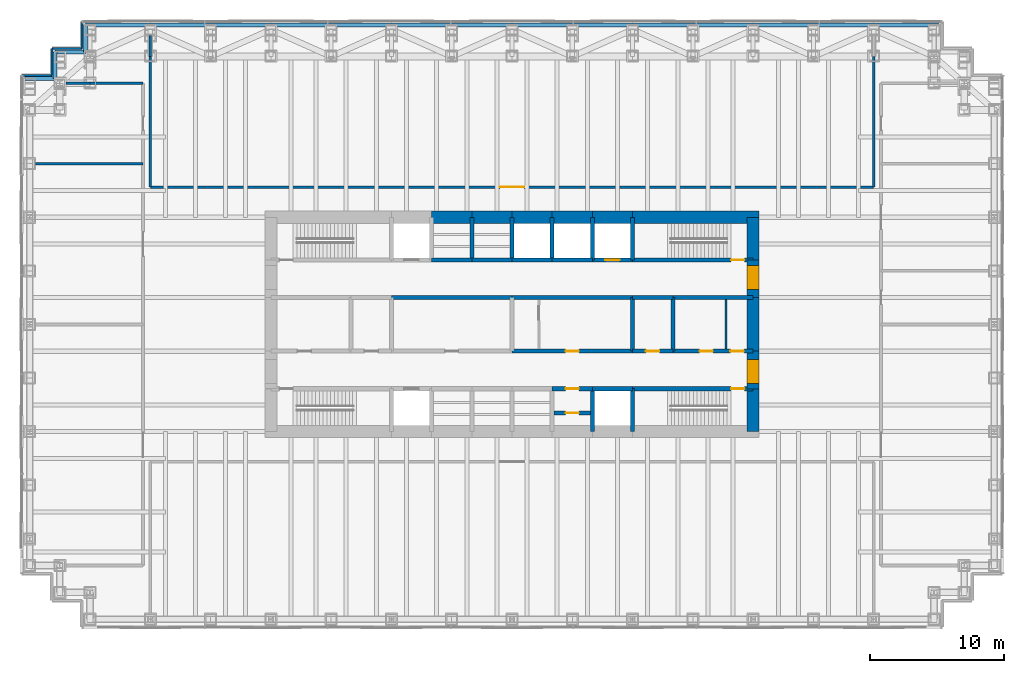
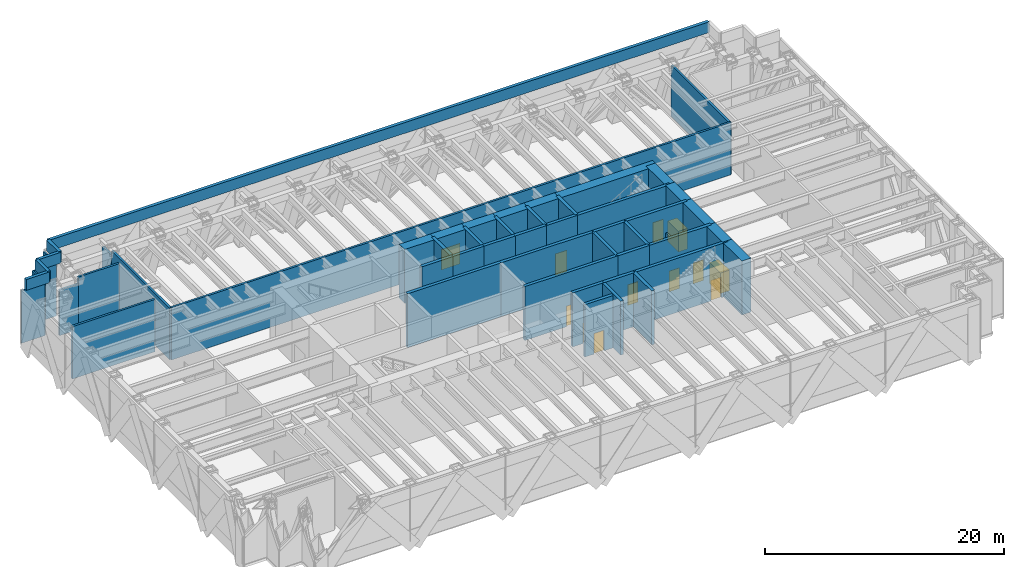
# One storey, part 14 of 16: 54 walls, 12 doors, 12 openings.
"""IFC4 building model written with IfcOpenShell, lengths in metres."""

from ifc_helpers import new_model, si_unit, direction, frame, frame_2d, origin, place, context, subcontext, project, spatial, rectangle, extrude, material, layer, layer_set, type_object, element, fill, save


model = new_model("IFC4")

# Units and contexts
model_context = context("Model", 3, precision=1e-05, world=origin(), true_north=direction((0.0, 1.0)))
body_context = subcontext(model_context, "Body", "Model", "MODEL_VIEW")
ifc_project = project(units=[si_unit("LENGTHUNIT", "METRE"), si_unit("AREAUNIT", "SQUARE_METRE"), si_unit("VOLUMEUNIT", "CUBIC_METRE"), si_unit("PLANEANGLEUNIT", "RADIAN"), si_unit("MASSUNIT", "GRAM", prefix="KILO")], contexts=[model_context])

# Site, building, storey
site_placement = place(None, origin())
site = spatial("IfcSite", under=ifc_project, at=site_placement, CompositionType="ELEMENT")
building_placement = place(site_placement, origin())
building = spatial("IfcBuilding", under=site, at=building_placement, Name="Rheinbord Bourse Tower", CompositionType="ELEMENT")
storey_placement = place(building_placement, frame((0.0, 0.0, 180.300048828125)))
storey = spatial("IfcBuildingStorey", under=building, at=storey_placement, Name="L40", CompositionType="ELEMENT", Elevation=180.300048828125)

# Wall, opening, door
ifc_material_1 = material(Name="Concrete C50/60", Category="concrete")
ifc_layer_1 = layer(ifc_material_1, 0.300048828125)
ifc_layer_set_1 = layer_set([ifc_layer_1], Name="CORE INNER WALL 300")
wall_type_1 = type_object("IfcWallType", Name="CORE INNER WALL 300", PredefinedType="SOLIDWALL", material=ifc_layer_set_1)
wall_1_placement = place(storey_placement, frame((39.0, 19.199951171875, 0.0), z_axis=(0.0, 0.0, 1.0), x_axis=(1.0, 0.0, 0.0)))
wall_1 = element("IfcWall", 1, at=wall_1_placement, inside=storey, type_object=wall_type_1, Name="Core wall A6 L40", PredefinedType="SOLIDWALL", context=body_context, shape_type="SweptSolid", body=[
    extrude(rectangle(XDim=3.0, YDim=0.300048828125, at=frame_2d((1.5, 0.0))), origin(), (0.0, 0.0, 1.0), 5.5),
])
opening_1_placement = place(wall_1_placement, frame((1.0, 0.0, 0.0)))
opening_1 = element("IfcOpeningElement", 2, at=opening_1_placement, cuts=wall_1, Name="Opening 40R8", PredefinedType="OPENING", context=body_context, shape_type="SweptSolid", body=[
    extrude(rectangle(XDim=1.0, YDim=2.10009765625, at=frame_2d((0.5, 1.050048828125))), frame((0.0, 0.159912109375, 0.0), z_axis=(0.0, -1.0, 0.0), x_axis=(1.0, 0.0, 0.0)), (0.0, 0.0, 1.0), 0.320068359375),
])
ifc_material_2 = material(Name="Steel door", Category="steel")
door_type_1 = type_object("IfcDoorType", Name="DOOR 1000 EI30", OperationType="SINGLE_SWING_LEFT", PredefinedType="DOOR", material=ifc_material_2)
door_1_placement = place(opening_1_placement, origin())
door_1 = element("IfcDoor", 3, at=door_1_placement, inside=storey, type_object=door_type_1, Name="Store door L40", OperationType="SINGLE_SWING_LEFT", OverallHeight=2.10009765625, OverallWidth=1.0, PredefinedType="DOOR", context=body_context, shape_type="SweptSolid", body=[
    extrude(rectangle(XDim=1.0, YDim=2.10009765625, at=frame_2d((0.5, 1.050048828125))), frame((0.0, 0.02490234375, 0.0), z_axis=(0.0, -1.0, 0.0), x_axis=(1.0, 0.0, 0.0)), (0.0, 0.0, 1.0), 0.050048828125),
])
fill(opening_1, door_1)

# Wall
wall_2_placement = place(storey_placement, frame((42.0, 19.199951171875, 0.0), z_axis=(0.0, 0.0, 1.0), x_axis=(1.0, 0.0, 0.0)))
element("IfcWall", 4, at=wall_2_placement, inside=storey, type_object=wall_type_1, Name="Core wall A7 L40", PredefinedType="SOLIDWALL", context=body_context, shape_type="SweptSolid", body=[
    extrude(rectangle(XDim=3.0, YDim=0.300048828125, at=frame_2d((1.5, 0.0))), origin(), (0.0, 0.0, 1.0), 5.5),
])

# Wall, opening, door
wall_3_placement = place(storey_placement, frame((45.0, 19.199951171875, 0.0), z_axis=(0.0, 0.0, 1.0), x_axis=(1.0, 0.0, 0.0)))
wall_3 = element("IfcWall", 5, at=wall_3_placement, inside=storey, type_object=wall_type_1, Name="Core wall A8 L40", PredefinedType="SOLIDWALL", context=body_context, shape_type="SweptSolid", body=[
    extrude(rectangle(XDim=9.0, YDim=0.300048828125, at=frame_2d((4.5, 0.0))), origin(), (0.0, 0.0, 1.0), 5.5),
])
opening_2_placement = place(wall_3_placement, frame((7.35009765625, 0.0, 0.0)))
opening_2 = element("IfcOpeningElement", 6, at=opening_2_placement, cuts=wall_3, Name="Opening 4030", PredefinedType="OPENING", context=body_context, shape_type="SweptSolid", body=[
    extrude(rectangle(XDim=1.0, YDim=2.10009765625, at=frame_2d((0.5, 1.050048828125))), frame((0.0, 0.159912109375, 0.0), z_axis=(0.0, -1.0, 0.0), x_axis=(1.0, 0.0, 0.0)), (0.0, 0.0, 1.0), 0.320068359375),
])
door_2_placement = place(opening_2_placement, origin())
door_2 = element("IfcDoor", 7, at=door_2_placement, inside=storey, type_object=door_type_1, Name="Stair door ST3 L40", OperationType="SINGLE_SWING_RIGHT", OverallHeight=2.10009765625, OverallWidth=1.0, PredefinedType="DOOR", context=body_context, shape_type="SweptSolid", body=[
    extrude(rectangle(XDim=1.0, YDim=2.10009765625, at=frame_2d((0.5, 1.050048828125))), frame((0.0, 0.02490234375, 0.0), z_axis=(0.0, -1.0, 0.0), x_axis=(1.0, 0.0, 0.0)), (0.0, 0.0, 1.0), 0.050048828125),
])
fill(opening_2, door_2)

# Walls
for number, where, z_axis, x_axis, name in (
    (8, (30.0, 28.800048828125, 0.0), (0.0, 0.0, 1.0), (1.0, 0.0, 0.0), "Core wall B3 L40"),
    (9, (33.0, 28.800048828125, 0.0), (0.0, 0.0, 1.0), (1.0, 0.0, 0.0), "Core wall B4 L40"),
    (10, (36.0, 28.800048828125, 0.0), (0.0, 0.0, 1.0), (1.0, 0.0, 0.0), "Core wall B5 L40"),
    (11, (39.0, 28.800048828125, 0.0), (0.0, 0.0, 1.0), (1.0, 0.0, 0.0), "Core wall B6 L40"),
):
    element("IfcWall", number, at=place(storey_placement, frame(where, z_axis=z_axis, x_axis=x_axis)), inside=storey, type_object=wall_type_1, Name=name, PredefinedType="SOLIDWALL", context=body_context, shape_type="SweptSolid", body=[
        extrude(rectangle(XDim=3.0, YDim=0.300048828125, at=frame_2d((1.5, 0.0))), origin(), (0.0, 0.0, 1.0), 5.5),
    ])

# Wall, opening, door
wall_4_placement = place(storey_placement, frame((42.0, 28.800048828125, 0.0), z_axis=(0.0, 0.0, 1.0), x_axis=(1.0, 0.0, 0.0)))
wall_4 = element("IfcWall", 12, at=wall_4_placement, inside=storey, type_object=wall_type_1, Name="Core wall B7 L40", PredefinedType="SOLIDWALL", context=body_context, shape_type="SweptSolid", body=[
    extrude(rectangle(XDim=3.0, YDim=0.300048828125, at=frame_2d((1.5, 0.0))), origin(), (0.0, 0.0, 1.0), 5.5),
])
opening_3_placement = place(wall_4_placement, frame((0.949951171875, 0.0, 0.0)))
opening_3 = element("IfcOpeningElement", 13, at=opening_3_placement, cuts=wall_4, Name="Opening FL2", PredefinedType="OPENING", context=body_context, shape_type="SweptSolid", body=[
    extrude(rectangle(XDim=1.10009765625, YDim=2.199951171875, at=frame_2d((0.550048828125, 1.10009765625))), frame((0.0, 0.159912109375, 0.0), z_axis=(0.0, -1.0, 0.0), x_axis=(1.0, 0.0, 0.0)), (0.0, 0.0, 1.0), 0.320068359375),
])
ifc_material_3 = material(Name="Steel landing door", Category="steel")
door_type_2 = type_object("IfcDoorType", Name="LIFT LANDING DOOR 1100", OperationType="DOUBLE_DOOR_SLIDING", PredefinedType="USERDEFINED", material=ifc_material_3)
door_3_placement = place(opening_3_placement, origin())
door_3 = element("IfcDoor", 14, at=door_3_placement, inside=storey, type_object=door_type_2, Name="Lift landing door FL2 L40", ObjectType="LIFT LANDING DOOR", OperationType="DOUBLE_DOOR_SLIDING", OverallHeight=2.199951171875, OverallWidth=1.10009765625, PredefinedType="USERDEFINED", context=body_context, shape_type="SweptSolid", body=[
    extrude(rectangle(XDim=1.10009765625, YDim=2.199951171875, at=frame_2d((0.550048828125, 1.10009765625))), frame((0.0, 0.02490234375, 0.0), z_axis=(0.0, -1.0, 0.0), x_axis=(1.0, 0.0, 0.0)), (0.0, 0.0, 1.0), 0.050048828125),
])
fill(opening_3, door_3)

wall_5_placement = place(storey_placement, frame((45.0, 28.800048828125, 0.0), z_axis=(0.0, 0.0, 1.0), x_axis=(1.0, 0.0, 0.0)))
wall_5 = element("IfcWall", 15, at=wall_5_placement, inside=storey, type_object=wall_type_1, Name="Core wall B8 L40", PredefinedType="SOLIDWALL", context=body_context, shape_type="SweptSolid", body=[
    extrude(rectangle(XDim=9.0, YDim=0.300048828125, at=frame_2d((4.5, 0.0))), origin(), (0.0, 0.0, 1.0), 5.5),
])
opening_4_placement = place(wall_5_placement, frame((7.35009765625, 0.0, 0.0)))
opening_4 = element("IfcOpeningElement", 16, at=opening_4_placement, cuts=wall_5, Name="Opening 4040", PredefinedType="OPENING", context=body_context, shape_type="SweptSolid", body=[
    extrude(rectangle(XDim=1.0, YDim=2.10009765625, at=frame_2d((0.5, 1.050048828125))), frame((0.0, 0.159912109375, 0.0), z_axis=(0.0, -1.0, 0.0), x_axis=(1.0, 0.0, 0.0)), (0.0, 0.0, 1.0), 0.320068359375),
])
door_4_placement = place(opening_4_placement, origin())
door_4 = element("IfcDoor", 17, at=door_4_placement, inside=storey, type_object=door_type_1, Name="Stair door ST4 L40", OperationType="SINGLE_SWING_RIGHT", OverallHeight=2.10009765625, OverallWidth=1.0, PredefinedType="DOOR", context=body_context, shape_type="SweptSolid", body=[
    extrude(rectangle(XDim=1.0, YDim=2.10009765625, at=frame_2d((0.5, 1.050048828125))), frame((0.0, 0.02490234375, 0.0), z_axis=(0.0, -1.0, 0.0), x_axis=(1.0, 0.0, 0.0)), (0.0, 0.0, 1.0), 0.050048828125),
])
fill(opening_4, door_4)

wall_6_placement = place(storey_placement, frame((36.0, 22.0, 0.0), z_axis=(0.0, 0.0, 1.0), x_axis=(1.0, 0.0, 0.0)))
wall_6 = element("IfcWall", 18, at=wall_6_placement, inside=storey, type_object=wall_type_1, Name="Core wall C4 L40", PredefinedType="SOLIDWALL", context=body_context, shape_type="SweptSolid", body=[
    extrude(rectangle(XDim=9.0, YDim=0.300048828125, at=frame_2d((4.5, 0.0))), origin(), (0.0, 0.0, 1.0), 5.5),
])
opening_5_placement = place(wall_6_placement, frame((4.0, 0.0, 0.0)))
opening_5 = element("IfcOpeningElement", 19, at=opening_5_placement, cuts=wall_6, Name="Opening 40R4", PredefinedType="OPENING", context=body_context, shape_type="SweptSolid", body=[
    extrude(rectangle(XDim=1.0, YDim=2.10009765625, at=frame_2d((0.5, 1.050048828125))), frame((0.0, 0.159912109375, 0.0), z_axis=(0.0, -1.0, 0.0), x_axis=(1.0, 0.0, 0.0)), (0.0, 0.0, 1.0), 0.320068359375),
])
door_5_placement = place(opening_5_placement, origin())
door_5 = element("IfcDoor", 20, at=door_5_placement, inside=storey, type_object=door_type_1, Name="Staff locker room door L40", OperationType="SINGLE_SWING_LEFT", OverallHeight=2.10009765625, OverallWidth=1.0, PredefinedType="DOOR", context=body_context, shape_type="SweptSolid", body=[
    extrude(rectangle(XDim=1.0, YDim=2.10009765625, at=frame_2d((0.5, 1.050048828125))), frame((0.0, 0.02490234375, 0.0), z_axis=(0.0, -1.0, 0.0), x_axis=(1.0, 0.0, 0.0)), (0.0, 0.0, 1.0), 0.050048828125),
])
fill(opening_5, door_5)

wall_7_placement = place(storey_placement, frame((45.0, 22.0, 0.0), z_axis=(0.0, 0.0, 1.0), x_axis=(1.0, 0.0, 0.0)))
wall_7 = element("IfcWall", 21, at=wall_7_placement, inside=storey, type_object=wall_type_1, Name="Core wall C5 L40", PredefinedType="SOLIDWALL", context=body_context, shape_type="SweptSolid", body=[
    extrude(rectangle(XDim=3.0, YDim=0.300048828125, at=frame_2d((1.5, 0.0))), origin(), (0.0, 0.0, 1.0), 5.5),
])
opening_6_placement = place(wall_7_placement, frame((1.0, 0.0, 0.0)))
opening_6 = element("IfcOpeningElement", 22, at=opening_6_placement, cuts=wall_7, Name="Opening 40R5", PredefinedType="OPENING", context=body_context, shape_type="SweptSolid", body=[
    extrude(rectangle(XDim=1.0, YDim=2.10009765625, at=frame_2d((0.5, 1.050048828125))), frame((0.0, 0.159912109375, 0.0), z_axis=(0.0, -1.0, 0.0), x_axis=(1.0, 0.0, 0.0)), (0.0, 0.0, 1.0), 0.320068359375),
])
ifc_material_4 = material(Name="Timber door", Category="wood")
door_type_3 = type_object("IfcDoorType", Name="DOOR 1000 WC", OperationType="SINGLE_SWING_LEFT", PredefinedType="DOOR", material=ifc_material_4)
door_6_placement = place(opening_6_placement, origin())
door_6 = element("IfcDoor", 23, at=door_6_placement, inside=storey, type_object=door_type_3, Name="Accessible WC door L40", OperationType="SINGLE_SWING_LEFT", OverallHeight=2.10009765625, OverallWidth=1.0, PredefinedType="DOOR", context=body_context, shape_type="SweptSolid", body=[
    extrude(rectangle(XDim=1.0, YDim=2.10009765625, at=frame_2d((0.5, 1.050048828125))), frame((0.0, 0.02490234375, 0.0), z_axis=(0.0, -1.0, 0.0), x_axis=(1.0, 0.0, 0.0)), (0.0, 0.0, 1.0), 0.050048828125),
])
fill(opening_6, door_6)

# Wall, openings, doors
wall_8_placement = place(storey_placement, frame((48.0, 22.0, 0.0), z_axis=(0.0, 0.0, 1.0), x_axis=(1.0, 0.0, 0.0)))
wall_8 = element("IfcWall", 24, at=wall_8_placement, inside=storey, type_object=wall_type_1, Name="Core wall C6 L40", PredefinedType="SOLIDWALL", context=body_context, shape_type="SweptSolid", body=[
    extrude(rectangle(XDim=6.0, YDim=0.300048828125, at=frame_2d((3.0, 0.0))), origin(), (0.0, 0.0, 1.0), 5.5),
])
opening_7_placement = place(wall_8_placement, frame((2.0, 0.0, 0.0)))
opening_7 = element("IfcOpeningElement", 25, at=opening_7_placement, cuts=wall_8, Name="Opening 40R6", PredefinedType="OPENING", context=body_context, shape_type="SweptSolid", body=[
    extrude(rectangle(XDim=1.0, YDim=2.10009765625, at=frame_2d((0.5, 1.050048828125))), frame((0.0, 0.159912109375, 0.0), z_axis=(0.0, -1.0, 0.0), x_axis=(1.0, 0.0, 0.0)), (0.0, 0.0, 1.0), 0.320068359375),
])
opening_8_placement = place(wall_8_placement, frame((4.300048828125, 0.0, 0.0)))
opening_8 = element("IfcOpeningElement", 26, at=opening_8_placement, cuts=wall_8, Name="Opening 40R10", PredefinedType="OPENING", context=body_context, shape_type="SweptSolid", body=[
    extrude(rectangle(XDim=1.0, YDim=2.10009765625, at=frame_2d((0.5, 1.050048828125))), frame((0.0, 0.159912109375, 0.0), z_axis=(0.0, -1.0, 0.0), x_axis=(1.0, 0.0, 0.0)), (0.0, 0.0, 1.0), 0.320068359375),
])
door_7_placement = place(opening_8_placement, origin())
door_7 = element("IfcDoor", 27, at=door_7_placement, inside=storey, type_object=door_type_1, Name="Cleaner's store door L40", OperationType="SINGLE_SWING_RIGHT", OverallHeight=2.10009765625, OverallWidth=1.0, PredefinedType="DOOR", context=body_context, shape_type="SweptSolid", body=[
    extrude(rectangle(XDim=1.0, YDim=2.10009765625, at=frame_2d((0.5, 1.050048828125))), frame((0.0, 0.02490234375, 0.0), z_axis=(0.0, -1.0, 0.0), x_axis=(1.0, 0.0, 0.0)), (0.0, 0.0, 1.0), 0.050048828125),
])
fill(opening_8, door_7)
door_8_placement = place(opening_7_placement, origin())
door_8 = element("IfcDoor", 28, at=door_8_placement, inside=storey, type_object=door_type_3, Name="WC women door L40", OperationType="SINGLE_SWING_LEFT", OverallHeight=2.10009765625, OverallWidth=1.0, PredefinedType="DOOR", context=body_context, shape_type="SweptSolid", body=[
    extrude(rectangle(XDim=1.0, YDim=2.10009765625, at=frame_2d((0.5, 1.050048828125))), frame((0.0, 0.02490234375, 0.0), z_axis=(0.0, -1.0, 0.0), x_axis=(1.0, 0.0, 0.0)), (0.0, 0.0, 1.0), 0.050048828125),
])
fill(opening_7, door_8)

# Walls
for number, where, z_axis, x_axis, name in (
    (29, (27.0, 26.0, 0.0), (0.0, 0.0, 1.0), (1.0, 0.0, 0.0), "Core wall D3 L40"),
    (30, (36.0, 26.0, 0.0), (0.0, 0.0, 1.0), (1.0, 0.0, 0.0), "Core wall D4 L40"),
):
    element("IfcWall", number, at=place(storey_placement, frame(where, z_axis=z_axis, x_axis=x_axis)), inside=storey, type_object=wall_type_1, Name=name, PredefinedType="SOLIDWALL", context=body_context, shape_type="SweptSolid", body=[
        extrude(rectangle(XDim=9.0, YDim=0.300048828125, at=frame_2d((4.5, 0.0))), origin(), (0.0, 0.0, 1.0), 5.5),
    ])
wall_9_placement = place(storey_placement, frame((45.0, 26.0, 0.0), z_axis=(0.0, 0.0, 1.0), x_axis=(1.0, 0.0, 0.0)))
element("IfcWall", 31, at=wall_9_placement, inside=storey, type_object=wall_type_1, Name="Core wall D5 L40", PredefinedType="SOLIDWALL", context=body_context, shape_type="SweptSolid", body=[
    extrude(rectangle(XDim=3.0, YDim=0.300048828125, at=frame_2d((1.5, 0.0))), origin(), (0.0, 0.0, 1.0), 5.5),
])
wall_10_placement = place(storey_placement, frame((48.0, 26.0, 0.0), z_axis=(0.0, 0.0, 1.0), x_axis=(1.0, 0.0, 0.0)))
element("IfcWall", 32, at=wall_10_placement, inside=storey, type_object=wall_type_1, Name="Core wall D6 L40", PredefinedType="SOLIDWALL", context=body_context, shape_type="SweptSolid", body=[
    extrude(rectangle(XDim=6.0, YDim=0.300048828125, at=frame_2d((3.0, 0.0))), origin(), (0.0, 0.0, 1.0), 5.5),
])
for number, where, z_axis, x_axis, name in (
    (33, (33.0, 28.800048828125, 0.0), (0.0, 0.0, 1.0), (0.0, 1.0, 0.0), "Core wall NX33 L40"),
    (34, (36.0, 28.800048828125, 0.0), (0.0, 0.0, 1.0), (0.0, 1.0, 0.0), "Core wall NX36 L40"),
    (35, (39.0, 28.800048828125, 0.0), (0.0, 0.0, 1.0), (0.0, 1.0, 0.0), "Core wall NX39 L40"),
    (36, (42.0, 16.0, 0.0), (0.0, 0.0, 1.0), (0.0, 1.0, 0.0), "Core wall SX42 L40"),
    (37, (42.0, 28.800048828125, 0.0), (0.0, 0.0, 1.0), (0.0, 1.0, 0.0), "Core wall NX42 L40"),
    (38, (45.0, 16.0, 0.0), (0.0, 0.0, 1.0), (0.0, 1.0, 0.0), "Core wall SX45 L40"),
    (39, (45.0, 28.800048828125, 0.0), (0.0, 0.0, 1.0), (0.0, 1.0, 0.0), "Core wall NX45 L40"),
):
    element("IfcWall", number, at=place(storey_placement, frame(where, z_axis=z_axis, x_axis=x_axis)), inside=storey, type_object=wall_type_1, Name=name, PredefinedType="SOLIDWALL", context=body_context, shape_type="SweptSolid", body=[
        extrude(rectangle(XDim=3.199951171875, YDim=0.300048828125, at=frame_2d((1.60009765625, 0.0))), origin(), (0.0, 0.0, 1.0), 5.5),
    ])
for number, where, z_axis, x_axis, name in (
    (40, (45.0, 22.0, 0.0), (0.0, 0.0, 1.0), (0.0, 1.0, 0.0), "Core wall MX45 L40"),
    (41, (48.0, 22.0, 0.0), (0.0, 0.0, 1.0), (0.0, 1.0, 0.0), "Core wall MX48 L40"),
):
    element("IfcWall", number, at=place(storey_placement, frame(where, z_axis=z_axis, x_axis=x_axis)), inside=storey, type_object=wall_type_1, Name=name, PredefinedType="SOLIDWALL", context=body_context, shape_type="SweptSolid", body=[
        extrude(rectangle(XDim=4.0, YDim=0.300048828125, at=frame_2d((2.0, 0.0))), origin(), (0.0, 0.0, 1.0), 5.5),
    ])

# Wall, opening, door
wall_11_placement = place(storey_placement, frame((39.14990234375, 17.39990234375, 0.0), z_axis=(0.0, 0.0, 1.0), x_axis=(1.0, 0.0, 0.0)))
wall_11 = element("IfcWall", 42, at=wall_11_placement, inside=storey, type_object=wall_type_1, Name="Core riser wall L40-6", PredefinedType="SOLIDWALL", context=body_context, shape_type="SweptSolid", body=[
    extrude(rectangle(XDim=2.7001953125, YDim=0.300048828125, at=frame_2d((1.35009765625, 0.0))), origin(), (0.0, 0.0, 1.0), 5.33984375),
])
opening_9_placement = place(wall_11_placement, frame((0.85009765625, 0.0, 0.0)))
opening_9 = element("IfcOpeningElement", 43, at=opening_9_placement, cuts=wall_11, Name="Opening 40R12", PredefinedType="OPENING", context=body_context, shape_type="SweptSolid", body=[
    extrude(rectangle(XDim=1.0, YDim=2.10009765625, at=frame_2d((0.5, 1.050048828125))), frame((0.0, 0.159912109375, 0.0), z_axis=(0.0, -1.0, 0.0), x_axis=(1.0, 0.0, 0.0)), (0.0, 0.0, 1.0), 0.320068359375),
])
door_9_placement = place(opening_9_placement, origin())
door_9 = element("IfcDoor", 44, at=door_9_placement, inside=storey, type_object=door_type_1, Name="Comms riser door L40", OperationType="SINGLE_SWING_LEFT", OverallHeight=2.10009765625, OverallWidth=1.0, PredefinedType="DOOR", context=body_context, shape_type="SweptSolid", body=[
    extrude(rectangle(XDim=1.0, YDim=2.10009765625, at=frame_2d((0.5, 1.050048828125))), frame((0.0, 0.02490234375, 0.0), z_axis=(0.0, -1.0, 0.0), x_axis=(1.0, 0.0, 0.0)), (0.0, 0.0, 1.0), 0.050048828125),
])
fill(opening_9, door_9)

# Walls
ifc_material_5 = material(Name="Gypsum board fire partition", Category="gypsum board")
ifc_layer_2 = layer(ifc_material_5, 0.14990234375)
ifc_layer_set_2 = layer_set([ifc_layer_2], Name="CORE PARTITION 150 EI30")
wall_type_2 = type_object("IfcWallType", Name="CORE PARTITION 150 EI30", PredefinedType="PARTITIONING", material=ifc_layer_set_2)
wall_12_placement = place(storey_placement, frame((51.97509765625, 22.14990234375, 0.0), z_axis=(0.0, 0.0, 1.0), x_axis=(0.0, 1.0, 0.0)))
element("IfcWall", 45, at=wall_12_placement, inside=storey, type_object=wall_type_2, Name="Core partition L40-3", PredefinedType="PARTITIONING", context=body_context, shape_type="SweptSolid", body=[
    extrude(rectangle(XDim=3.7001953125, YDim=0.14990234375, at=frame_2d((1.85009765625, 0.0))), origin(), (0.0, 0.0, 1.0), 3.0),
])
ifc_material_6 = material(Name="Concrete C50/60", Category="concrete")
ifc_layer_3 = layer(ifc_material_6, 0.89990234375)
ifc_layer_set_3 = layer_set([ifc_layer_3], Name="CORE WALL 900")
wall_type_3 = type_object("IfcWallType", Name="CORE WALL 900", PredefinedType="SHEAR", material=ifc_layer_set_3)
wall_13_placement = place(storey_placement, frame((54.449951171875, 32.0, 0.0), z_axis=(0.0, 0.0, 1.0), x_axis=(-1.0, 0.0, 0.0)))
element("IfcWall", 46, at=wall_13_placement, inside=storey, type_object=wall_type_3, Name="Core wall N1 L40", PredefinedType="SHEAR", context=body_context, shape_type="SweptSolid", body=[
    extrude(rectangle(XDim=9.449951171875, YDim=0.89990234375, at=frame_2d((4.72509765625, 0.0))), origin(), (0.0, 0.0, 1.0), 5.5),
])
for number, where, z_axis, x_axis, name in (
    (47, (45.0, 32.0, 0.0), (0.0, 0.0, 1.0), (-1.0, 0.0, 0.0), "Core wall N2 L40"),
    (48, (42.0, 32.0, 0.0), (0.0, 0.0, 1.0), (-1.0, 0.0, 0.0), "Core wall N3 L40"),
    (49, (39.0, 32.0, 0.0), (0.0, 0.0, 1.0), (-1.0, 0.0, 0.0), "Core wall N4 L40"),
    (50, (36.0, 32.0, 0.0), (0.0, 0.0, 1.0), (-1.0, 0.0, 0.0), "Core wall N5 L40"),
    (51, (33.0, 32.0, 0.0), (0.0, 0.0, 1.0), (-1.0, 0.0, 0.0), "Core wall N6 L40"),
):
    element("IfcWall", number, at=place(storey_placement, frame(where, z_axis=z_axis, x_axis=x_axis)), inside=storey, type_object=wall_type_3, Name=name, PredefinedType="SHEAR", context=body_context, shape_type="SweptSolid", body=[
        extrude(rectangle(XDim=3.0, YDim=0.89990234375, at=frame_2d((1.5, 0.0))), origin(), (0.0, 0.0, 1.0), 5.5),
    ])
wall_14_placement = place(storey_placement, frame((54.0, 16.0, 0.0), z_axis=(0.0, 0.0, 1.0), x_axis=(0.0, 1.0, 0.0)))
element("IfcWall", 52, at=wall_14_placement, inside=storey, type_object=wall_type_3, Name="Core wall E1 L40", PredefinedType="SHEAR", context=body_context, shape_type="SweptSolid", body=[
    extrude(rectangle(XDim=3.199951171875, YDim=0.89990234375, at=frame_2d((1.60009765625, 0.0))), origin(), (0.0, 0.0, 1.0), 5.5),
])

# Wall, opening, door
wall_15_placement = place(storey_placement, frame((54.0, 19.199951171875, 0.0), z_axis=(0.0, 0.0, 1.0), x_axis=(0.0, 1.0, 0.0)))
wall_15 = element("IfcWall", 53, at=wall_15_placement, inside=storey, type_object=wall_type_3, Name="Core wall E2 L40", PredefinedType="SHEAR", context=body_context, shape_type="SweptSolid", body=[
    extrude(rectangle(XDim=2.800048828125, YDim=0.89990234375, at=frame_2d((1.39990234375, 0.0))), origin(), (0.0, 0.0, 1.0), 5.5),
])
opening_10_placement = place(wall_15_placement, frame((0.39990234375, 0.0, 0.0)))
opening_10 = element("IfcOpeningElement", 54, at=opening_10_placement, cuts=wall_15, Name="Opening 40L3", PredefinedType="OPENING", context=body_context, shape_type="SweptSolid", body=[
    extrude(rectangle(XDim=1.800048828125, YDim=2.10009765625, at=frame_2d((0.89990234375, 1.050048828125))), frame((0.0, 0.4599609375, 0.0), z_axis=(0.0, -1.0, 0.0), x_axis=(1.0, 0.0, 0.0)), (0.0, 0.0, 1.0), 0.919921875),
])
ifc_material_7 = material(Name="Steel door", Category="steel")
door_type_4 = type_object("IfcDoorType", Name="DOOR 1800 EI30 DOUBLE", OperationType="DOUBLE_DOOR_DOUBLE_SWING", PredefinedType="DOOR", material=ifc_material_7)
door_10_placement = place(opening_10_placement, origin())
door_10 = element("IfcDoor", 55, at=door_10_placement, inside=storey, type_object=door_type_4, Name="Lobby door 3 L40", OperationType="SINGLE_SWING_LEFT", OverallHeight=2.10009765625, OverallWidth=1.800048828125, PredefinedType="DOOR", context=body_context, shape_type="SweptSolid", body=[
    extrude(rectangle(XDim=1.800048828125, YDim=2.10009765625, at=frame_2d((0.89990234375, 1.050048828125))), frame((0.0, 0.44970703125, 0.0), z_axis=(0.0, -1.0, 0.0), x_axis=(1.0, 0.0, 0.0)), (0.0, 0.0, 1.0), 0.8994140625),
])
fill(opening_10, door_10)

# Wall
wall_16_placement = place(storey_placement, frame((54.0, 22.0, 0.0), z_axis=(0.0, 0.0, 1.0), x_axis=(0.0, 1.0, 0.0)))
element("IfcWall", 56, at=wall_16_placement, inside=storey, type_object=wall_type_3, Name="Core wall E3 L40", PredefinedType="SHEAR", context=body_context, shape_type="SweptSolid", body=[
    extrude(rectangle(XDim=4.0, YDim=0.89990234375, at=frame_2d((2.0, 0.0))), origin(), (0.0, 0.0, 1.0), 5.5),
])

# Wall, opening, door
wall_17_placement = place(storey_placement, frame((54.0, 26.0, 0.0), z_axis=(0.0, 0.0, 1.0), x_axis=(0.0, 1.0, 0.0)))
wall_17 = element("IfcWall", 57, at=wall_17_placement, inside=storey, type_object=wall_type_3, Name="Core wall E4 L40", PredefinedType="SHEAR", context=body_context, shape_type="SweptSolid", body=[
    extrude(rectangle(XDim=2.800048828125, YDim=0.89990234375, at=frame_2d((1.39990234375, 0.0))), origin(), (0.0, 0.0, 1.0), 5.5),
])
opening_11_placement = place(wall_17_placement, frame((0.60009765625, 0.0, 0.0)))
opening_11 = element("IfcOpeningElement", 58, at=opening_11_placement, cuts=wall_17, Name="Opening 40L4", PredefinedType="OPENING", context=body_context, shape_type="SweptSolid", body=[
    extrude(rectangle(XDim=1.800048828125, YDim=2.10009765625, at=frame_2d((0.89990234375, 1.050048828125))), frame((0.0, 0.4599609375, 0.0), z_axis=(0.0, -1.0, 0.0), x_axis=(1.0, 0.0, 0.0)), (0.0, 0.0, 1.0), 0.919921875),
])
door_11_placement = place(opening_11_placement, origin())
door_11 = element("IfcDoor", 59, at=door_11_placement, inside=storey, type_object=door_type_4, Name="Lobby door 4 L40", OperationType="SINGLE_SWING_LEFT", OverallHeight=2.10009765625, OverallWidth=1.800048828125, PredefinedType="DOOR", context=body_context, shape_type="SweptSolid", body=[
    extrude(rectangle(XDim=1.800048828125, YDim=2.10009765625, at=frame_2d((0.89990234375, 1.050048828125))), frame((0.0, 0.44970703125, 0.0), z_axis=(0.0, -1.0, 0.0), x_axis=(1.0, 0.0, 0.0)), (0.0, 0.0, 1.0), 0.8994140625),
])
fill(opening_11, door_11)

# Walls
wall_18_placement = place(storey_placement, frame((54.0, 28.800048828125, 0.0), z_axis=(0.0, 0.0, 1.0), x_axis=(0.0, 1.0, 0.0)))
element("IfcWall", 60, at=wall_18_placement, inside=storey, type_object=wall_type_3, Name="Core wall E5 L40", PredefinedType="SHEAR", context=body_context, shape_type="SweptSolid", body=[
    extrude(rectangle(XDim=3.199951171875, YDim=0.89990234375, at=frame_2d((1.60009765625, 0.0))), origin(), (0.0, 0.0, 1.0), 5.5),
])
ifc_material_8 = material(Name="Black metal rainscreen panel", Category="aluminium")
ifc_layer_4 = layer(ifc_material_8, 0.14990234375)
ifc_layer_set_4 = layer_set([ifc_layer_4], Name="CORNER PIER CLADDING 150")
wall_type_4 = type_object("IfcWallType", Name="CORNER PIER CLADDING 150", PredefinedType="ELEMENTEDWALL", material=ifc_layer_set_4)
wall_19_placement = place(storey_placement, frame((3.89990234375, 46.60009765625, 0.0), z_axis=(0.0, 0.0, 1.0), x_axis=(0.0, -1.0, 0.0)))
element("IfcWall", 61, at=wall_19_placement, inside=storey, type_object=wall_type_4, Name="Corner pier cladding L40 12", PredefinedType="ELEMENTEDWALL", context=body_context, shape_type="SweptSolid", body=[
    extrude(rectangle(XDim=2.0, YDim=0.14990234375, at=frame_2d((1.0, 0.0))), origin(), (0.0, 0.0, 1.0), 5.33984375),
])
wall_20_placement = place(storey_placement, frame((3.89990234375, 44.60009765625, 0.0), z_axis=(0.0, 0.0, 1.0), x_axis=(-1.0, 0.0, 0.0)))
element("IfcWall", 62, at=wall_20_placement, inside=storey, type_object=wall_type_4, Name="Corner pier cladding L40 13", PredefinedType="ELEMENTEDWALL", context=body_context, shape_type="SweptSolid", body=[
    extrude(rectangle(XDim=2.25, YDim=0.14990234375, at=frame_2d((1.125, 0.0))), origin(), (0.0, 0.0, 1.0), 5.33984375),
])
wall_21_placement = place(storey_placement, frame((1.64990234375, 44.60009765625, 0.0), z_axis=(0.0, 0.0, 1.0), x_axis=(0.0, -1.0, 0.0)))
element("IfcWall", 63, at=wall_21_placement, inside=storey, type_object=wall_type_4, Name="Corner pier cladding L40 14", PredefinedType="ELEMENTEDWALL", context=body_context, shape_type="SweptSolid", body=[
    extrude(rectangle(XDim=2.0, YDim=0.14990234375, at=frame_2d((1.0, 0.0))), origin(), (0.0, 0.0, 1.0), 5.33984375),
])
wall_22_placement = place(storey_placement, frame((1.64990234375, 42.60009765625, 0.0), z_axis=(0.0, 0.0, 1.0), x_axis=(-1.0, 0.0, 0.0)))
element("IfcWall", 64, at=wall_22_placement, inside=storey, type_object=wall_type_4, Name="Corner pier cladding L40 15", PredefinedType="ELEMENTEDWALL", context=body_context, shape_type="SweptSolid", body=[
    extrude(rectangle(XDim=2.25, YDim=0.14990234375, at=frame_2d((1.125, 0.0))), origin(), (0.0, 0.0, 1.0), 5.33984375),
])
ifc_material_9 = material(Name="Concrete C30/37", Category="concrete")
ifc_layer_5 = layer(ifc_material_9, 0.300048828125)
ifc_layer_set_5 = layer_set([ifc_layer_5], Name="PARAPET 300")
wall_type_5 = type_object("IfcWallType", Name="PARAPET 300", PredefinedType="PARAPET", material=ifc_layer_set_5)
wall_23_placement = place(storey_placement, frame((67.85009765625, 46.35009765625, 5.5), z_axis=(0.0, 0.0, 1.0), x_axis=(-1.0, 0.0, 0.0)))
element("IfcWall", 65, at=wall_23_placement, inside=storey, type_object=wall_type_5, Name="Setback parapet L41 5", PredefinedType="PARAPET", context=body_context, shape_type="SweptSolid", body=[
    extrude(rectangle(XDim=63.7001953125, YDim=0.300048828125, at=frame_2d((31.85009765625, 0.0))), origin(), (0.0, 0.0, 1.0), 1.099853515625),
])
wall_24_placement = place(storey_placement, frame((4.14990234375, 46.35009765625, 5.5), z_axis=(0.0, 0.0, 1.0), x_axis=(0.0, -1.0, 0.0)))
element("IfcWall", 66, at=wall_24_placement, inside=storey, type_object=wall_type_5, Name="Setback parapet L41 6", PredefinedType="PARAPET", context=body_context, shape_type="SweptSolid", body=[
    extrude(rectangle(XDim=2.0, YDim=0.300048828125, at=frame_2d((1.0, 0.0))), origin(), (0.0, 0.0, 1.0), 1.099853515625),
])
wall_25_placement = place(storey_placement, frame((4.14990234375, 44.35009765625, 5.5), z_axis=(0.0, 0.0, 1.0), x_axis=(-1.0, 0.0, 0.0)))
element("IfcWall", 67, at=wall_25_placement, inside=storey, type_object=wall_type_5, Name="Setback parapet L41 7", PredefinedType="PARAPET", context=body_context, shape_type="SweptSolid", body=[
    extrude(rectangle(XDim=2.25, YDim=0.300048828125, at=frame_2d((1.125, 0.0))), origin(), (0.0, 0.0, 1.0), 1.099853515625),
])
wall_26_placement = place(storey_placement, frame((1.89990234375, 44.35009765625, 5.5), z_axis=(0.0, 0.0, 1.0), x_axis=(0.0, -1.0, 0.0)))
element("IfcWall", 68, at=wall_26_placement, inside=storey, type_object=wall_type_5, Name="Setback parapet L41 8", PredefinedType="PARAPET", context=body_context, shape_type="SweptSolid", body=[
    extrude(rectangle(XDim=2.0, YDim=0.300048828125, at=frame_2d((1.0, 0.0))), origin(), (0.0, 0.0, 1.0), 1.099853515625),
])
wall_27_placement = place(storey_placement, frame((1.89990234375, 42.35009765625, 5.5), z_axis=(0.0, 0.0, 1.0), x_axis=(-1.0, 0.0, 0.0)))
element("IfcWall", 69, at=wall_27_placement, inside=storey, type_object=wall_type_5, Name="Setback parapet L41 9", PredefinedType="PARAPET", context=body_context, shape_type="SweptSolid", body=[
    extrude(rectangle(XDim=2.25, YDim=0.300048828125, at=frame_2d((1.125, 0.0))), origin(), (0.0, 0.0, 1.0), 1.099853515625),
])

# Wall, opening, door
ifc_material_10 = material(Name="Concrete block plant room wall", Category="concrete")
ifc_layer_6 = layer(ifc_material_10, 0.199951171875)
ifc_layer_set_6 = layer_set([ifc_layer_6], Name="PLANT ROOM PARTITION 200 EI90")
wall_type_6 = type_object("IfcWallType", Name="PLANT ROOM PARTITION 200 EI90", PredefinedType="PARTITIONING", material=ifc_layer_set_6)
wall_28_placement = place(storey_placement, frame((9.0, 34.25, 0.0), z_axis=(0.0, 0.0, 1.0), x_axis=(1.0, 0.0, 0.0)))
wall_28 = element("IfcWall", 70, at=wall_28_placement, inside=storey, type_object=wall_type_6, Name="Partition L40-07", PredefinedType="PARTITIONING", context=body_context, shape_type="SweptSolid", body=[
    extrude(rectangle(XDim=54.0, YDim=0.199951171875, at=frame_2d((27.0, 0.0))), origin(), (0.0, 0.0, 1.0), 5.33984375),
])
opening_12_placement = place(wall_28_placement, frame((26.10009765625, 0.0, 0.0)))
opening_12 = element("IfcOpeningElement", 71, at=opening_12_placement, cuts=wall_28, Name="Opening 40P09", PredefinedType="OPENING", context=body_context, shape_type="SweptSolid", body=[
    extrude(rectangle(XDim=1.800048828125, YDim=2.10009765625, at=frame_2d((0.89990234375, 1.050048828125))), frame((0.0, 0.10986328125, 0.0), z_axis=(0.0, -1.0, 0.0), x_axis=(1.0, 0.0, 0.0)), (0.0, 0.0, 1.0), 0.219970703125),
])
ifc_material_11 = material(Name="Steel fire door", Category="steel")
door_type_5 = type_object("IfcDoorType", Name="PLANT ROOM DOUBLE DOOR 1800 EI60", OperationType="DOUBLE_DOOR_DOUBLE_SWING", PredefinedType="DOOR", material=ifc_material_11)
door_12_placement = place(opening_12_placement, origin())
door_12 = element("IfcDoor", 72, at=door_12_placement, inside=storey, type_object=door_type_5, Name="Refuge area door L40", OperationType="SINGLE_SWING_LEFT", OverallHeight=2.10009765625, OverallWidth=1.800048828125, PredefinedType="DOOR", context=body_context, shape_type="SweptSolid", body=[
    extrude(rectangle(XDim=1.800048828125, YDim=2.10009765625, at=frame_2d((0.89990234375, 1.050048828125))), frame((0.0, 0.02490234375, 0.0), z_axis=(0.0, -1.0, 0.0), x_axis=(1.0, 0.0, 0.0)), (0.0, 0.0, 1.0), 0.050048828125),
])
fill(opening_12, door_12)

# Walls
wall_29_placement = place(storey_placement, frame((0.449951171875, 36.0, 0.0), z_axis=(0.0, 0.0, 1.0), x_axis=(1.0, 0.0, 0.0)))
element("IfcWall", 73, at=wall_29_placement, inside=storey, type_object=wall_type_6, Name="Partition L40-08", PredefinedType="PARTITIONING", context=body_context, shape_type="SweptSolid", body=[
    extrude(rectangle(XDim=8.0, YDim=0.199951171875, at=frame_2d((4.0, 0.0))), origin(), (0.0, 0.0, 1.0), 5.33984375),
])
wall_30_placement = place(storey_placement, frame((2.699951171875, 42.0, 0.0), z_axis=(0.0, 0.0, 1.0), x_axis=(1.0, 0.0, 0.0)))
element("IfcWall", 74, at=wall_30_placement, inside=storey, type_object=wall_type_6, Name="Partition L40-10", PredefinedType="PARTITIONING", context=body_context, shape_type="SweptSolid", body=[
    extrude(rectangle(XDim=1.800048828125, YDim=0.199951171875, at=frame_2d((0.89990234375, 0.0))), origin(), (0.0, 0.0, 1.0), 4.639892578125),
])
wall_31_placement = place(storey_placement, frame((4.5, 42.0, 0.0), z_axis=(0.0, 0.0, 1.0), x_axis=(1.0, 0.0, 0.0)))
element("IfcWall", 75, at=wall_31_placement, inside=storey, type_object=wall_type_6, Name="Partition L40-10b", PredefinedType="PARTITIONING", context=body_context, shape_type="SweptSolid", body=[
    extrude(rectangle(XDim=3.949951171875, YDim=0.199951171875, at=frame_2d((1.97509765625, 0.0))), origin(), (0.0, 0.0, 1.0), 5.33984375),
])
wall_32_placement = place(storey_placement, frame((9.0, 34.25, 0.0), z_axis=(0.0, 0.0, 1.0), x_axis=(0.0, 1.0, 0.0)))
element("IfcWall", 76, at=wall_32_placement, inside=storey, type_object=wall_type_6, Name="Partition L40-14", PredefinedType="PARTITIONING", context=body_context, shape_type="SweptSolid", body=[
    extrude(rectangle(XDim=9.75, YDim=0.199951171875, at=frame_2d((4.875, 0.0))), origin(), (0.0, 0.0, 1.0), 5.25),
])
wall_33_placement = place(storey_placement, frame((9.0, 44.0, 0.0), z_axis=(0.0, 0.0, 1.0), x_axis=(0.0, 1.0, 0.0)))
element("IfcWall", 77, at=wall_33_placement, inside=storey, type_object=wall_type_6, Name="Partition L40-14b", PredefinedType="PARTITIONING", context=body_context, shape_type="SweptSolid", body=[
    extrude(rectangle(XDim=1.550048828125, YDim=0.199951171875, at=frame_2d((0.77490234375, 0.0))), origin(), (0.0, 0.0, 1.0), 4.725830078125),
])
wall_34_placement = place(storey_placement, frame((63.0, 34.25, 0.0), z_axis=(0.0, 0.0, 1.0), x_axis=(0.0, 1.0, 0.0)))
element("IfcWall", 78, at=wall_34_placement, inside=storey, type_object=wall_type_6, Name="Partition L40-16", PredefinedType="PARTITIONING", context=body_context, shape_type="SweptSolid", body=[
    extrude(rectangle(XDim=9.75, YDim=0.199951171875, at=frame_2d((4.875, 0.0))), origin(), (0.0, 0.0, 1.0), 5.25),
])

save(model, "model.ifc")
